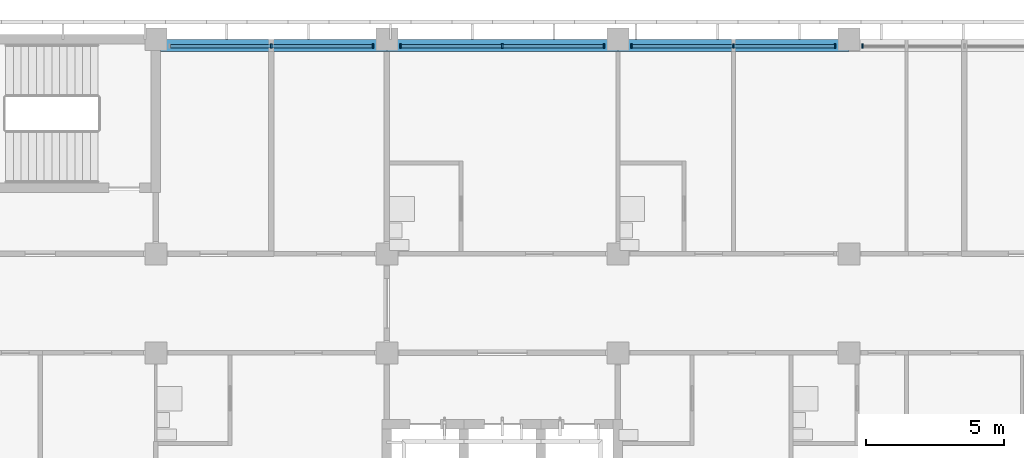
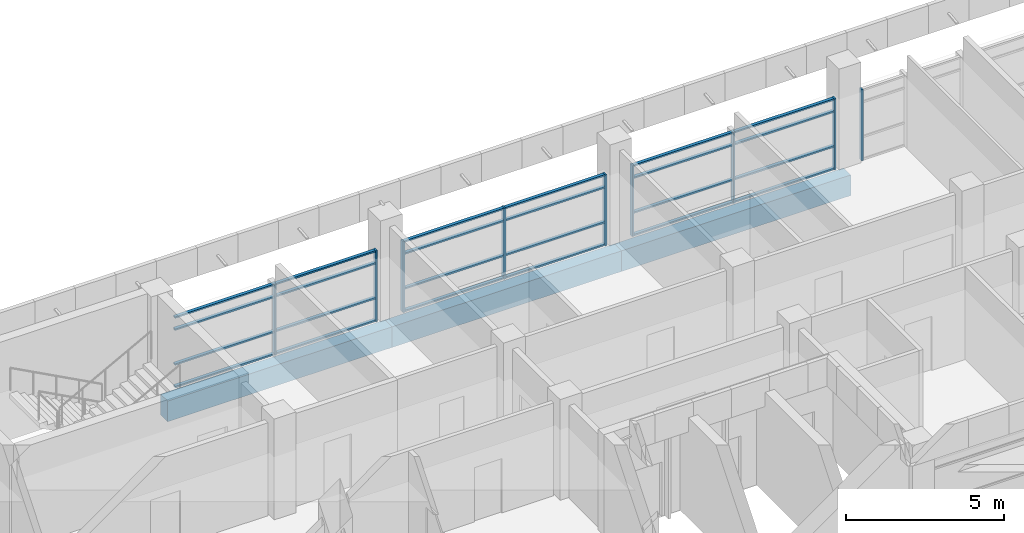
# One storey, part 18 of 71: 33 members, 3 beams, 4 elements without a shape of their own.
"""IFC4 building model written with IfcOpenShell, lengths in metres."""

from ifc_helpers import new_model, si_unit, direction, frame, origin, origin_2d, place, context, subcontext, project, spatial, rectangle, extrude, material, material_profile, profile_set, type_object, element, aggregate, save


model = new_model("IFC4")

# Units and contexts
model_context = context("Model", 3, precision=1e-05, world=origin(), true_north=direction((0.0, 1.0)))
body_context = subcontext(model_context, "Body", "Model", "MODEL_VIEW")
ifc_project = project(units=[si_unit("LENGTHUNIT", "METRE"), si_unit("AREAUNIT", "SQUARE_METRE"), si_unit("VOLUMEUNIT", "CUBIC_METRE"), si_unit("PLANEANGLEUNIT", "RADIAN"), si_unit("MASSUNIT", "GRAM", prefix="KILO")], contexts=[model_context])

# Site, building, storey
site_placement = place(None, origin())
site = spatial("IfcSite", under=ifc_project, at=site_placement, CompositionType="ELEMENT")
building_placement = place(site_placement, origin())
building = spatial("IfcBuilding", under=site, at=building_placement, Name="Bougainvillea Quay General Hospital", CompositionType="ELEMENT")
storey_placement = place(building_placement, frame((0.0, 0.0, 24.89990234375)))
storey = spatial("IfcBuildingStorey", under=building, at=storey_placement, Name="L05", CompositionType="ELEMENT", Elevation=24.89990234375)

# Curtain wall, member
ifc_material_1 = material(Name="Aluminium curtain wall system, powder-coated glazed", Category="aluminium")
curtain_wall_type = type_object("IfcCurtainWallType", Name="Unitised curtain wall CW-3730", PredefinedType="NOTDEFINED", material=ifc_material_1)
curtain_wall_1_placement = place(storey_placement, origin())
curtain_wall_1 = element("IfcCurtainWall", 1, at=curtain_wall_1_placement, inside=storey, type_object=curtain_wall_type, Name="CW-4200 00", PredefinedType="NOTDEFINED")
ifc_material_2 = material(Name="Aluminium mullion, powder-coated charcoal", Category="aluminium")
ifc_material_profile_1 = material_profile(ifc_material_2, rectangle(XDim=0.159912109375, YDim=0.06005859375, at=origin_2d()))
ifc_profile_set_1 = profile_set([ifc_material_profile_1], Name="Aluminium mullion, powder-coated charcoal")
member_type_1 = type_object("IfcMemberType", Name="Curtain wall mullion 160x60", PredefinedType="MULLION", material=ifc_profile_set_1)
member_1_placement = place(storey_placement, frame((168.5, 159.35009765625, 0.0), z_axis=(0.0, 0.0, 1.0), x_axis=(0.0, -1.0, 0.0)))
member_1 = element("IfcMember", 2, at=member_1_placement, type_object=member_type_1, Name="CW-4200 mullion 3", PredefinedType="MULLION", context=body_context, shape_type="SweptSolid", body=[
    extrude(rectangle(XDim=0.159912109375, YDim=0.06005859375, at=origin_2d()), origin(), (0.0, 0.0, 1.0), 2.75),
])
aggregate(curtain_wall_1, [member_1])

# Curtain wall, members
curtain_wall_2_placement = place(storey_placement, origin())
curtain_wall_2 = element("IfcCurtainWall", 3, at=curtain_wall_2_placement, inside=storey, type_object=curtain_wall_type, Name="CW-4200 01", PredefinedType="NOTDEFINED")
member_2_placement = place(storey_placement, frame((167.5, 159.35009765625, 0.0), z_axis=(0.0, 0.0, 1.0), x_axis=(0.0, -1.0, 0.0)))
member_2 = element("IfcMember", 4, at=member_2_placement, type_object=member_type_1, Name="CW-4200 mullion 1", PredefinedType="MULLION", context=body_context, shape_type="SweptSolid", body=[
    extrude(rectangle(XDim=0.159912109375, YDim=0.06005859375, at=origin_2d()), origin(), (0.0, 0.0, 1.0), 2.75),
])
member_3_placement = place(storey_placement, frame((163.800048828125, 159.35009765625, 0.0), z_axis=(0.0, 0.0, 1.0), x_axis=(0.0, -1.0, 0.0)))
member_3 = element("IfcMember", 5, at=member_3_placement, type_object=member_type_1, Name="CW-4200 mullion 2", PredefinedType="MULLION", context=body_context, shape_type="SweptSolid", body=[
    extrude(rectangle(XDim=0.159912109375, YDim=0.06005859375, at=origin_2d()), origin(), (0.0, 0.0, 1.0), 2.75),
])
member_4_placement = place(storey_placement, frame((160.10009765625, 159.35009765625, 0.0), z_axis=(0.0, 0.0, 1.0), x_axis=(0.0, -1.0, 0.0)))
member_4 = element("IfcMember", 6, at=member_4_placement, type_object=member_type_1, Name="CW-4200 mullion 3", PredefinedType="MULLION", context=body_context, shape_type="SweptSolid", body=[
    extrude(rectangle(XDim=0.159912109375, YDim=0.06005859375, at=origin_2d()), origin(), (0.0, 0.0, 1.0), 2.75),
])

curtain_wall_3_placement = place(storey_placement, origin())
curtain_wall_3 = element("IfcCurtainWall", 7, at=curtain_wall_3_placement, inside=storey, type_object=curtain_wall_type, Name="CW-4200 02", PredefinedType="NOTDEFINED")
member_5_placement = place(storey_placement, frame((159.10009765625, 159.35009765625, 0.0), z_axis=(0.0, 0.0, 1.0), x_axis=(0.0, -1.0, 0.0)))
member_5 = element("IfcMember", 8, at=member_5_placement, type_object=member_type_1, Name="CW-4200 mullion 1", PredefinedType="MULLION", context=body_context, shape_type="SweptSolid", body=[
    extrude(rectangle(XDim=0.159912109375, YDim=0.06005859375, at=origin_2d()), origin(), (0.0, 0.0, 1.0), 2.75),
])
member_6_placement = place(storey_placement, frame((155.39990234375, 159.35009765625, 0.0), z_axis=(0.0, 0.0, 1.0), x_axis=(0.0, -1.0, 0.0)))
member_6 = element("IfcMember", 9, at=member_6_placement, type_object=member_type_1, Name="CW-4200 mullion 2", PredefinedType="MULLION", context=body_context, shape_type="SweptSolid", body=[
    extrude(rectangle(XDim=0.159912109375, YDim=0.06005859375, at=origin_2d()), origin(), (0.0, 0.0, 1.0), 2.75),
])
member_7_placement = place(storey_placement, frame((151.699951171875, 159.35009765625, 0.0), z_axis=(0.0, 0.0, 1.0), x_axis=(0.0, -1.0, 0.0)))
member_7 = element("IfcMember", 10, at=member_7_placement, type_object=member_type_1, Name="CW-4200 mullion 3", PredefinedType="MULLION", context=body_context, shape_type="SweptSolid", body=[
    extrude(rectangle(XDim=0.159912109375, YDim=0.06005859375, at=origin_2d()), origin(), (0.0, 0.0, 1.0), 2.75),
])

curtain_wall_4_placement = place(storey_placement, origin())
curtain_wall_4 = element("IfcCurtainWall", 11, at=curtain_wall_4_placement, inside=storey, type_object=curtain_wall_type, Name="CW-4200 03", PredefinedType="NOTDEFINED")
member_8_placement = place(storey_placement, frame((150.699951171875, 159.35009765625, 0.0), z_axis=(0.0, 0.0, 1.0), x_axis=(0.0, -1.0, 0.0)))
member_8 = element("IfcMember", 12, at=member_8_placement, type_object=member_type_1, Name="CW-4200 mullion 1", PredefinedType="MULLION", context=body_context, shape_type="SweptSolid", body=[
    extrude(rectangle(XDim=0.159912109375, YDim=0.06005859375, at=origin_2d()), origin(), (0.0, 0.0, 1.0), 2.75),
])
member_9_placement = place(storey_placement, frame((147.0, 159.35009765625, 0.0), z_axis=(0.0, 0.0, 1.0), x_axis=(0.0, -1.0, 0.0)))
member_9 = element("IfcMember", 13, at=member_9_placement, type_object=member_type_1, Name="CW-4200 mullion 2", PredefinedType="MULLION", context=body_context, shape_type="SweptSolid", body=[
    extrude(rectangle(XDim=0.159912109375, YDim=0.06005859375, at=origin_2d()), origin(), (0.0, 0.0, 1.0), 2.75),
])

# Member
ifc_material_3 = material(Name="Aluminium transom, powder-coated charcoal", Category="aluminium")
ifc_material_profile_2 = material_profile(ifc_material_3, rectangle(XDim=0.1201171875, YDim=0.06005859375, at=origin_2d()))
ifc_profile_set_2 = profile_set([ifc_material_profile_2], Name="Aluminium transom, powder-coated charcoal")
member_type_2 = type_object("IfcMemberType", Name="Curtain wall transom 120x60", PredefinedType="USERDEFINED", material=ifc_profile_set_2)
member_10_placement = place(storey_placement, frame((167.469970703125, 159.35009765625, 0.030029296875), z_axis=(-1.0, 0.0, 0.0), x_axis=(0.0, -1.0, 0.0)))
member_10 = element("IfcMember", 14, at=member_10_placement, type_object=member_type_2, Name="CW-4200 transom 1.1", ObjectType="TRANSOM", PredefinedType="USERDEFINED", context=body_context, shape_type="SweptSolid", body=[
    extrude(rectangle(XDim=0.1201171875, YDim=0.06005859375, at=origin_2d()), origin(), (0.0, 0.0, 1.0), 3.639892578125),
])

member_11_placement = place(storey_placement, frame((167.469970703125, 159.35009765625, 0.900146484375), z_axis=(-1.0, 0.0, 0.0), x_axis=(0.0, -1.0, 0.0)))
member_11 = element("IfcMember", 15, at=member_11_placement, type_object=member_type_2, Name="CW-4200 transom 1.2", ObjectType="TRANSOM", PredefinedType="USERDEFINED", context=body_context, shape_type="SweptSolid", body=[
    extrude(rectangle(XDim=0.1201171875, YDim=0.06005859375, at=origin_2d()), origin(), (0.0, 0.0, 1.0), 3.639892578125),
])

member_12_placement = place(storey_placement, frame((167.469970703125, 159.35009765625, 2.25), z_axis=(-1.0, 0.0, 0.0), x_axis=(0.0, -1.0, 0.0)))
member_12 = element("IfcMember", 16, at=member_12_placement, type_object=member_type_2, Name="CW-4200 transom 1.3", ObjectType="TRANSOM", PredefinedType="USERDEFINED", context=body_context, shape_type="SweptSolid", body=[
    extrude(rectangle(XDim=0.1201171875, YDim=0.06005859375, at=origin_2d()), origin(), (0.0, 0.0, 1.0), 3.639892578125),
])

member_13_placement = place(storey_placement, frame((167.469970703125, 159.35009765625, 2.72021484375), z_axis=(-1.0, 0.0, 0.0), x_axis=(0.0, -1.0, 0.0)))
member_13 = element("IfcMember", 17, at=member_13_placement, type_object=member_type_2, Name="CW-4200 transom 1.4", ObjectType="TRANSOM", PredefinedType="USERDEFINED", context=body_context, shape_type="SweptSolid", body=[
    extrude(rectangle(XDim=0.1201171875, YDim=0.06005859375, at=origin_2d()), origin(), (0.0, 0.0, 1.0), 3.639892578125),
])

member_14_placement = place(storey_placement, frame((163.77001953125, 159.35009765625, 0.030029296875), z_axis=(-1.0, 0.0, 0.0), x_axis=(0.0, -1.0, 0.0)))
member_14 = element("IfcMember", 18, at=member_14_placement, type_object=member_type_2, Name="CW-4200 transom 2.1", ObjectType="TRANSOM", PredefinedType="USERDEFINED", context=body_context, shape_type="SweptSolid", body=[
    extrude(rectangle(XDim=0.1201171875, YDim=0.06005859375, at=origin_2d()), origin(), (0.0, 0.0, 1.0), 3.64013671875),
])

member_15_placement = place(storey_placement, frame((163.77001953125, 159.35009765625, 0.900146484375), z_axis=(-1.0, 0.0, 0.0), x_axis=(0.0, -1.0, 0.0)))
member_15 = element("IfcMember", 19, at=member_15_placement, type_object=member_type_2, Name="CW-4200 transom 2.2", ObjectType="TRANSOM", PredefinedType="USERDEFINED", context=body_context, shape_type="SweptSolid", body=[
    extrude(rectangle(XDim=0.1201171875, YDim=0.06005859375, at=origin_2d()), origin(), (0.0, 0.0, 1.0), 3.64013671875),
])

member_16_placement = place(storey_placement, frame((163.77001953125, 159.35009765625, 2.25), z_axis=(-1.0, 0.0, 0.0), x_axis=(0.0, -1.0, 0.0)))
member_16 = element("IfcMember", 20, at=member_16_placement, type_object=member_type_2, Name="CW-4200 transom 2.3", ObjectType="TRANSOM", PredefinedType="USERDEFINED", context=body_context, shape_type="SweptSolid", body=[
    extrude(rectangle(XDim=0.1201171875, YDim=0.06005859375, at=origin_2d()), origin(), (0.0, 0.0, 1.0), 3.64013671875),
])

member_17_placement = place(storey_placement, frame((163.77001953125, 159.35009765625, 2.72021484375), z_axis=(-1.0, 0.0, 0.0), x_axis=(0.0, -1.0, 0.0)))
member_17 = element("IfcMember", 21, at=member_17_placement, type_object=member_type_2, Name="CW-4200 transom 2.4", ObjectType="TRANSOM", PredefinedType="USERDEFINED", context=body_context, shape_type="SweptSolid", body=[
    extrude(rectangle(XDim=0.1201171875, YDim=0.06005859375, at=origin_2d()), origin(), (0.0, 0.0, 1.0), 3.64013671875),
])

aggregate(curtain_wall_2, [member_2, member_3, member_4, member_10, member_11, member_12, member_13, member_14, member_15, member_16, member_17])

member_18_placement = place(storey_placement, frame((159.070068359375, 159.35009765625, 0.030029296875), z_axis=(-1.0, 0.0, 0.0), x_axis=(0.0, -1.0, 0.0)))
member_18 = element("IfcMember", 22, at=member_18_placement, type_object=member_type_2, Name="CW-4200 transom 1.1", ObjectType="TRANSOM", PredefinedType="USERDEFINED", context=body_context, shape_type="SweptSolid", body=[
    extrude(rectangle(XDim=0.1201171875, YDim=0.06005859375, at=origin_2d()), origin(), (0.0, 0.0, 1.0), 3.64013671875),
])

member_19_placement = place(storey_placement, frame((159.070068359375, 159.35009765625, 0.900146484375), z_axis=(-1.0, 0.0, 0.0), x_axis=(0.0, -1.0, 0.0)))
member_19 = element("IfcMember", 23, at=member_19_placement, type_object=member_type_2, Name="CW-4200 transom 1.2", ObjectType="TRANSOM", PredefinedType="USERDEFINED", context=body_context, shape_type="SweptSolid", body=[
    extrude(rectangle(XDim=0.1201171875, YDim=0.06005859375, at=origin_2d()), origin(), (0.0, 0.0, 1.0), 3.64013671875),
])

member_20_placement = place(storey_placement, frame((159.070068359375, 159.35009765625, 2.25), z_axis=(-1.0, 0.0, 0.0), x_axis=(0.0, -1.0, 0.0)))
member_20 = element("IfcMember", 24, at=member_20_placement, type_object=member_type_2, Name="CW-4200 transom 1.3", ObjectType="TRANSOM", PredefinedType="USERDEFINED", context=body_context, shape_type="SweptSolid", body=[
    extrude(rectangle(XDim=0.1201171875, YDim=0.06005859375, at=origin_2d()), origin(), (0.0, 0.0, 1.0), 3.64013671875),
])

member_21_placement = place(storey_placement, frame((159.070068359375, 159.35009765625, 2.72021484375), z_axis=(-1.0, 0.0, 0.0), x_axis=(0.0, -1.0, 0.0)))
member_21 = element("IfcMember", 25, at=member_21_placement, type_object=member_type_2, Name="CW-4200 transom 1.4", ObjectType="TRANSOM", PredefinedType="USERDEFINED", context=body_context, shape_type="SweptSolid", body=[
    extrude(rectangle(XDim=0.1201171875, YDim=0.06005859375, at=origin_2d()), origin(), (0.0, 0.0, 1.0), 3.64013671875),
])

member_22_placement = place(storey_placement, frame((155.3701171875, 159.35009765625, 0.030029296875), z_axis=(-1.0, 0.0, 0.0), x_axis=(0.0, -1.0, 0.0)))
member_22 = element("IfcMember", 26, at=member_22_placement, type_object=member_type_2, Name="CW-4200 transom 2.1", ObjectType="TRANSOM", PredefinedType="USERDEFINED", context=body_context, shape_type="SweptSolid", body=[
    extrude(rectangle(XDim=0.1201171875, YDim=0.06005859375, at=origin_2d()), origin(), (0.0, 0.0, 1.0), 3.64013671875),
])

member_23_placement = place(storey_placement, frame((155.3701171875, 159.35009765625, 0.900146484375), z_axis=(-1.0, 0.0, 0.0), x_axis=(0.0, -1.0, 0.0)))
member_23 = element("IfcMember", 27, at=member_23_placement, type_object=member_type_2, Name="CW-4200 transom 2.2", ObjectType="TRANSOM", PredefinedType="USERDEFINED", context=body_context, shape_type="SweptSolid", body=[
    extrude(rectangle(XDim=0.1201171875, YDim=0.06005859375, at=origin_2d()), origin(), (0.0, 0.0, 1.0), 3.64013671875),
])

member_24_placement = place(storey_placement, frame((155.3701171875, 159.35009765625, 2.25), z_axis=(-1.0, 0.0, 0.0), x_axis=(0.0, -1.0, 0.0)))
member_24 = element("IfcMember", 28, at=member_24_placement, type_object=member_type_2, Name="CW-4200 transom 2.3", ObjectType="TRANSOM", PredefinedType="USERDEFINED", context=body_context, shape_type="SweptSolid", body=[
    extrude(rectangle(XDim=0.1201171875, YDim=0.06005859375, at=origin_2d()), origin(), (0.0, 0.0, 1.0), 3.64013671875),
])

member_25_placement = place(storey_placement, frame((155.3701171875, 159.35009765625, 2.72021484375), z_axis=(-1.0, 0.0, 0.0), x_axis=(0.0, -1.0, 0.0)))
member_25 = element("IfcMember", 29, at=member_25_placement, type_object=member_type_2, Name="CW-4200 transom 2.4", ObjectType="TRANSOM", PredefinedType="USERDEFINED", context=body_context, shape_type="SweptSolid", body=[
    extrude(rectangle(XDim=0.1201171875, YDim=0.06005859375, at=origin_2d()), origin(), (0.0, 0.0, 1.0), 3.64013671875),
])

aggregate(curtain_wall_3, [member_5, member_6, member_7, member_18, member_19, member_20, member_21, member_22, member_23, member_24, member_25])

member_26_placement = place(storey_placement, frame((150.669921875, 159.35009765625, 0.030029296875), z_axis=(-1.0, 0.0, 0.0), x_axis=(0.0, -1.0, 0.0)))
member_26 = element("IfcMember", 30, at=member_26_placement, type_object=member_type_2, Name="CW-4200 transom 1.1", ObjectType="TRANSOM", PredefinedType="USERDEFINED", context=body_context, shape_type="SweptSolid", body=[
    extrude(rectangle(XDim=0.1201171875, YDim=0.06005859375, at=origin_2d()), origin(), (0.0, 0.0, 1.0), 3.639892578125),
])

member_27_placement = place(storey_placement, frame((150.669921875, 159.35009765625, 0.900146484375), z_axis=(-1.0, 0.0, 0.0), x_axis=(0.0, -1.0, 0.0)))
member_27 = element("IfcMember", 31, at=member_27_placement, type_object=member_type_2, Name="CW-4200 transom 1.2", ObjectType="TRANSOM", PredefinedType="USERDEFINED", context=body_context, shape_type="SweptSolid", body=[
    extrude(rectangle(XDim=0.1201171875, YDim=0.06005859375, at=origin_2d()), origin(), (0.0, 0.0, 1.0), 3.639892578125),
])

member_28_placement = place(storey_placement, frame((150.669921875, 159.35009765625, 2.25), z_axis=(-1.0, 0.0, 0.0), x_axis=(0.0, -1.0, 0.0)))
member_28 = element("IfcMember", 32, at=member_28_placement, type_object=member_type_2, Name="CW-4200 transom 1.3", ObjectType="TRANSOM", PredefinedType="USERDEFINED", context=body_context, shape_type="SweptSolid", body=[
    extrude(rectangle(XDim=0.1201171875, YDim=0.06005859375, at=origin_2d()), origin(), (0.0, 0.0, 1.0), 3.639892578125),
])

member_29_placement = place(storey_placement, frame((150.669921875, 159.35009765625, 2.72021484375), z_axis=(-1.0, 0.0, 0.0), x_axis=(0.0, -1.0, 0.0)))
member_29 = element("IfcMember", 33, at=member_29_placement, type_object=member_type_2, Name="CW-4200 transom 1.4", ObjectType="TRANSOM", PredefinedType="USERDEFINED", context=body_context, shape_type="SweptSolid", body=[
    extrude(rectangle(XDim=0.1201171875, YDim=0.06005859375, at=origin_2d()), origin(), (0.0, 0.0, 1.0), 3.639892578125),
])

member_30_placement = place(storey_placement, frame((146.969970703125, 159.35009765625, 0.030029296875), z_axis=(-1.0, 0.0, 0.0), x_axis=(0.0, -1.0, 0.0)))
member_30 = element("IfcMember", 34, at=member_30_placement, type_object=member_type_2, Name="CW-4200 transom 2.1", ObjectType="TRANSOM", PredefinedType="USERDEFINED", context=body_context, shape_type="SweptSolid", body=[
    extrude(rectangle(XDim=0.1201171875, YDim=0.06005859375, at=origin_2d()), origin(), (0.0, 0.0, 1.0), 3.639892578125),
])

member_31_placement = place(storey_placement, frame((146.969970703125, 159.35009765625, 0.900146484375), z_axis=(-1.0, 0.0, 0.0), x_axis=(0.0, -1.0, 0.0)))
member_31 = element("IfcMember", 35, at=member_31_placement, type_object=member_type_2, Name="CW-4200 transom 2.2", ObjectType="TRANSOM", PredefinedType="USERDEFINED", context=body_context, shape_type="SweptSolid", body=[
    extrude(rectangle(XDim=0.1201171875, YDim=0.06005859375, at=origin_2d()), origin(), (0.0, 0.0, 1.0), 3.639892578125),
])

member_32_placement = place(storey_placement, frame((146.969970703125, 159.35009765625, 2.25), z_axis=(-1.0, 0.0, 0.0), x_axis=(0.0, -1.0, 0.0)))
member_32 = element("IfcMember", 36, at=member_32_placement, type_object=member_type_2, Name="CW-4200 transom 2.3", ObjectType="TRANSOM", PredefinedType="USERDEFINED", context=body_context, shape_type="SweptSolid", body=[
    extrude(rectangle(XDim=0.1201171875, YDim=0.06005859375, at=origin_2d()), origin(), (0.0, 0.0, 1.0), 3.639892578125),
])

member_33_placement = place(storey_placement, frame((146.969970703125, 159.35009765625, 2.72021484375), z_axis=(-1.0, 0.0, 0.0), x_axis=(0.0, -1.0, 0.0)))
member_33 = element("IfcMember", 37, at=member_33_placement, type_object=member_type_2, Name="CW-4200 transom 2.4", ObjectType="TRANSOM", PredefinedType="USERDEFINED", context=body_context, shape_type="SweptSolid", body=[
    extrude(rectangle(XDim=0.1201171875, YDim=0.06005859375, at=origin_2d()), origin(), (0.0, 0.0, 1.0), 3.639892578125),
])

aggregate(curtain_wall_4, [member_8, member_9, member_26, member_27, member_28, member_29, member_30, member_31, member_32, member_33])

# Beams
ifc_material_4 = material(Name="Concrete C40", Category="concrete")
ifc_material_profile_3 = material_profile(ifc_material_4, rectangle(XDim=0.449951171875, YDim=0.800048828125, at=origin_2d()))
ifc_profile_set_3 = profile_set([ifc_material_profile_3], Name="Concrete C40")
beam_type = type_object("IfcBeamType", Name="RC BEAM 450x800 C40", PredefinedType="BEAM", material=ifc_profile_set_3)
beam_1_placement = place(storey_placement, frame((168.0, 159.375, -0.699951171875), z_axis=(-1.0, 0.0, 0.0), x_axis=(0.0, -1.0, 0.0)))
element("IfcBeam", 38, at=beam_1_placement, inside=storey, type_object=beam_type, Name="Edge beam L05", PredefinedType="BEAM", context=body_context, shape_type="SweptSolid", body=[
    extrude(rectangle(XDim=0.449951171875, YDim=0.800048828125, at=origin_2d()), origin(), (0.0, 0.0, 1.0), 8.39990234375),
])
beam_2_placement = place(storey_placement, frame((159.60009765625, 159.375, -0.699951171875), z_axis=(-1.0, 0.0, 0.0), x_axis=(0.0, -1.0, 0.0)))
element("IfcBeam", 39, at=beam_2_placement, inside=storey, type_object=beam_type, Name="Edge beam L05", PredefinedType="BEAM", context=body_context, shape_type="SweptSolid", body=[
    extrude(rectangle(XDim=0.449951171875, YDim=0.800048828125, at=origin_2d()), origin(), (0.0, 0.0, 1.0), 8.400146484375),
])
beam_3_placement = place(storey_placement, frame((151.199951171875, 159.375, -0.699951171875), z_axis=(-1.0, 0.0, 0.0), x_axis=(0.0, -1.0, 0.0)))
element("IfcBeam", 40, at=beam_3_placement, inside=storey, type_object=beam_type, Name="Edge beam L05", PredefinedType="BEAM", context=body_context, shape_type="SweptSolid", body=[
    extrude(rectangle(XDim=0.449951171875, YDim=0.800048828125, at=origin_2d()), origin(), (0.0, 0.0, 1.0), 8.224853515625),
])

save(model, "model.ifc")
